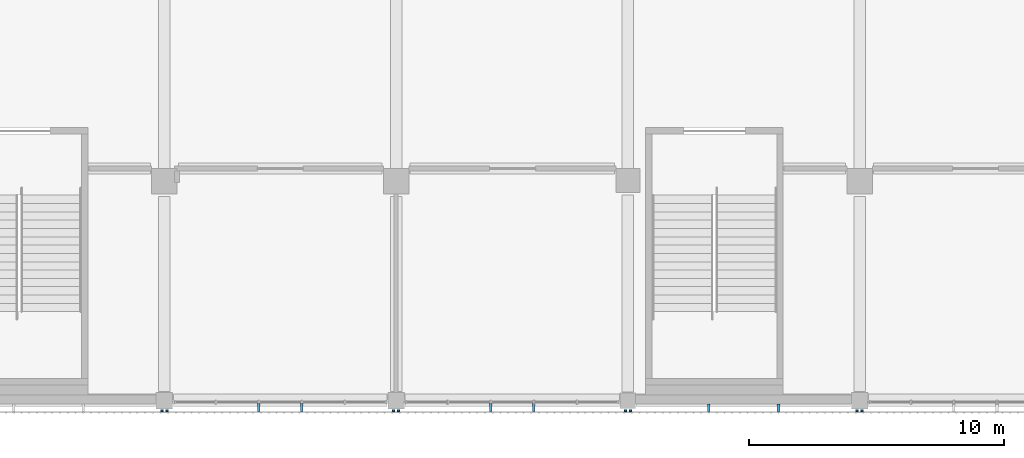
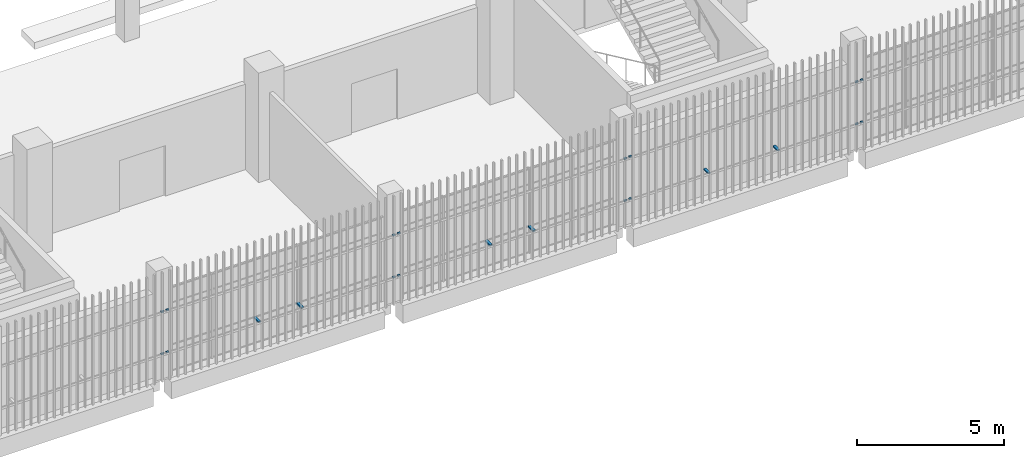
# One storey, part 96 of 126: 22 discrete accessories.
"""IFC4 building model written with IfcOpenShell, lengths in metres."""

from ifc_helpers import new_model, si_unit, direction, frame, origin, origin_2d, place, context, subcontext, project, spatial, rectangle, extrude, material, type_object, element, save


model = new_model("IFC4")

# Units and contexts
model_context = context("Model", 3, precision=1e-05, world=origin(), true_north=direction((0.0, 1.0)))
body_context = subcontext(model_context, "Body", "Model", "MODEL_VIEW")
ifc_project = project(units=[si_unit("LENGTHUNIT", "METRE"), si_unit("AREAUNIT", "SQUARE_METRE"), si_unit("VOLUMEUNIT", "CUBIC_METRE"), si_unit("PLANEANGLEUNIT", "RADIAN"), si_unit("MASSUNIT", "GRAM", prefix="KILO")], contexts=[model_context])

# Site, building, storey
site_placement = place(None, origin())
site = spatial("IfcSite", under=ifc_project, at=site_placement, CompositionType="ELEMENT")
building_placement = place(site_placement, origin())
building = spatial("IfcBuilding", under=site, at=building_placement, Name="Shirokan Park Arena", CompositionType="ELEMENT")
storey_placement = place(building_placement, frame((0.0, 0.0, 6.3701171875)))
storey = spatial("IfcBuildingStorey", under=building, at=storey_placement, Name="L01", CompositionType="ELEMENT", Elevation=6.3701171875)

# Discrete accessories
ifc_material = material(Name="Steel S355", Category="steel")
discrete_accessory_type = type_object("IfcDiscreteAccessoryType", Name="Veil bracket 100x60", PredefinedType="BRACKET", material=ifc_material)
for number, where, z_axis, x_axis, name in (
    (1, (63.60009765625, -0.409912109375, 1.06982421875), (0.0, 0.0, 1.0), (1.0, 0.0, 0.0), "Veil bracket south bay 7 L01 2"),
    (2, (63.60009765625, -0.409912109375, 2.81982421875), (0.0, 0.0, 1.0), (1.0, 0.0, 0.0), "Veil bracket south bay 7 L01 4"),
    (3, (63.800048828125, -0.409912109375, 1.06982421875), (0.0, 0.0, 1.0), (1.0, 0.0, 0.0), "Veil bracket south bay 8 L01 1"),
    (4, (72.699951171875, -0.409912109375, 1.06982421875), (0.0, 0.0, 1.0), (1.0, 0.0, 0.0), "Veil bracket south bay 8 L01 2"),
    (5, (63.800048828125, -0.409912109375, 2.81982421875), (0.0, 0.0, 1.0), (1.0, 0.0, 0.0), "Veil bracket south bay 8 L01 3"),
    (6, (72.699951171875, -0.409912109375, 2.81982421875), (0.0, 0.0, 1.0), (1.0, 0.0, 0.0), "Veil bracket south bay 8 L01 4"),
):
    element("IfcDiscreteAccessory", number, at=place(storey_placement, frame(where, z_axis=z_axis, x_axis=x_axis)), inside=storey, type_object=discrete_accessory_type, Name=name, PredefinedType="BRACKET", context=body_context, shape_type="SweptSolid", body=[
        extrude(rectangle(XDim=0.10009765625, YDim=0.070068359375, at=origin_2d()), origin(), (0.0, 0.0, 1.0), 0.06005859375),
    ])
for number, where, z_axis, x_axis, name in (
    (7, (67.405029296875, -0.2724609375, 1.06982421875), (0.0, 0.0, 1.0), (1.0, 0.0, 0.0), "Veil bracket south bay 8 L01 wall 1"),
    (8, (69.094970703125, -0.2724609375, 1.06982421875), (0.0, 0.0, 1.0), (1.0, 0.0, 0.0), "Veil bracket south bay 8 L01 wall 2"),
):
    element("IfcDiscreteAccessory", number, at=place(storey_placement, frame(where, z_axis=z_axis, x_axis=x_axis)), inside=storey, type_object=discrete_accessory_type, Name=name, PredefinedType="BRACKET", context=body_context, shape_type="SweptSolid", body=[
        extrude(rectangle(XDim=0.10009765625, YDim=0.344970703125, at=origin_2d()), origin(), (0.0, 0.0, 1.0), 0.06005859375),
    ])
for number, where, z_axis, x_axis, name in (
    (9, (72.89990234375, -0.409912109375, 1.06982421875), (0.0, 0.0, 1.0), (1.0, 0.0, 0.0), "Veil bracket south bay 9 L01 1"),
    (10, (81.800048828125, -0.409912109375, 1.06982421875), (0.0, 0.0, 1.0), (1.0, 0.0, 0.0), "Veil bracket south bay 9 L01 2"),
    (11, (72.89990234375, -0.409912109375, 2.81982421875), (0.0, 0.0, 1.0), (1.0, 0.0, 0.0), "Veil bracket south bay 9 L01 3"),
    (12, (81.800048828125, -0.409912109375, 2.81982421875), (0.0, 0.0, 1.0), (1.0, 0.0, 0.0), "Veil bracket south bay 9 L01 4"),
):
    element("IfcDiscreteAccessory", number, at=place(storey_placement, frame(where, z_axis=z_axis, x_axis=x_axis)), inside=storey, type_object=discrete_accessory_type, Name=name, PredefinedType="BRACKET", context=body_context, shape_type="SweptSolid", body=[
        extrude(rectangle(XDim=0.10009765625, YDim=0.070068359375, at=origin_2d()), origin(), (0.0, 0.0, 1.0), 0.06005859375),
    ])
for number, where, z_axis, x_axis, name in (
    (13, (76.514892578125, -0.2724609375, 1.06982421875), (0.0, 0.0, 1.0), (1.0, 0.0, 0.0), "Veil bracket south bay 9 L01 wall 1"),
    (14, (78.2099609375, -0.2724609375, 1.06982421875), (0.0, 0.0, 1.0), (1.0, 0.0, 0.0), "Veil bracket south bay 9 L01 wall 2"),
):
    element("IfcDiscreteAccessory", number, at=place(storey_placement, frame(where, z_axis=z_axis, x_axis=x_axis)), inside=storey, type_object=discrete_accessory_type, Name=name, PredefinedType="BRACKET", context=body_context, shape_type="SweptSolid", body=[
        extrude(rectangle(XDim=0.10009765625, YDim=0.344970703125, at=origin_2d()), origin(), (0.0, 0.0, 1.0), 0.06005859375),
    ])
for number, where, z_axis, x_axis, name in (
    (15, (82.0, -0.409912109375, 1.06982421875), (0.0, 0.0, 1.0), (1.0, 0.0, 0.0), "Veil bracket south bay 10 L01 1"),
    (16, (90.89990234375, -0.409912109375, 1.06982421875), (0.0, 0.0, 1.0), (1.0, 0.0, 0.0), "Veil bracket south bay 10 L01 2"),
    (17, (82.0, -0.409912109375, 2.81982421875), (0.0, 0.0, 1.0), (1.0, 0.0, 0.0), "Veil bracket south bay 10 L01 3"),
    (18, (90.89990234375, -0.409912109375, 2.81982421875), (0.0, 0.0, 1.0), (1.0, 0.0, 0.0), "Veil bracket south bay 10 L01 4"),
):
    element("IfcDiscreteAccessory", number, at=place(storey_placement, frame(where, z_axis=z_axis, x_axis=x_axis)), inside=storey, type_object=discrete_accessory_type, Name=name, PredefinedType="BRACKET", context=body_context, shape_type="SweptSolid", body=[
        extrude(rectangle(XDim=0.10009765625, YDim=0.070068359375, at=origin_2d()), origin(), (0.0, 0.0, 1.0), 0.06005859375),
    ])
for number, where, z_axis, x_axis, name in (
    (19, (85.0849609375, -0.297607421875, 1.06982421875), (0.0, 0.0, 1.0), (1.0, 0.0, 0.0), "Veil bracket south bay 10 L01 wall 1"),
    (20, (87.81494140625, -0.297607421875, 1.06982421875), (0.0, 0.0, 1.0), (1.0, 0.0, 0.0), "Veil bracket south bay 10 L01 wall 2"),
):
    element("IfcDiscreteAccessory", number, at=place(storey_placement, frame(where, z_axis=z_axis, x_axis=x_axis)), inside=storey, type_object=discrete_accessory_type, Name=name, PredefinedType="BRACKET", context=body_context, shape_type="SweptSolid", body=[
        extrude(rectangle(XDim=0.10009765625, YDim=0.294921875, at=origin_2d()), origin(), (0.0, 0.0, 1.0), 0.06005859375),
    ])
for number, where, z_axis, x_axis, name in (
    (21, (91.10009765625, -0.409912109375, 1.06982421875), (0.0, 0.0, 1.0), (1.0, 0.0, 0.0), "Veil bracket south bay 11 L01 1"),
    (22, (91.10009765625, -0.409912109375, 2.81982421875), (0.0, 0.0, 1.0), (1.0, 0.0, 0.0), "Veil bracket south bay 11 L01 3"),
):
    element("IfcDiscreteAccessory", number, at=place(storey_placement, frame(where, z_axis=z_axis, x_axis=x_axis)), inside=storey, type_object=discrete_accessory_type, Name=name, PredefinedType="BRACKET", context=body_context, shape_type="SweptSolid", body=[
        extrude(rectangle(XDim=0.10009765625, YDim=0.070068359375, at=origin_2d()), origin(), (0.0, 0.0, 1.0), 0.06005859375),
    ])

save(model, "model.ifc")
